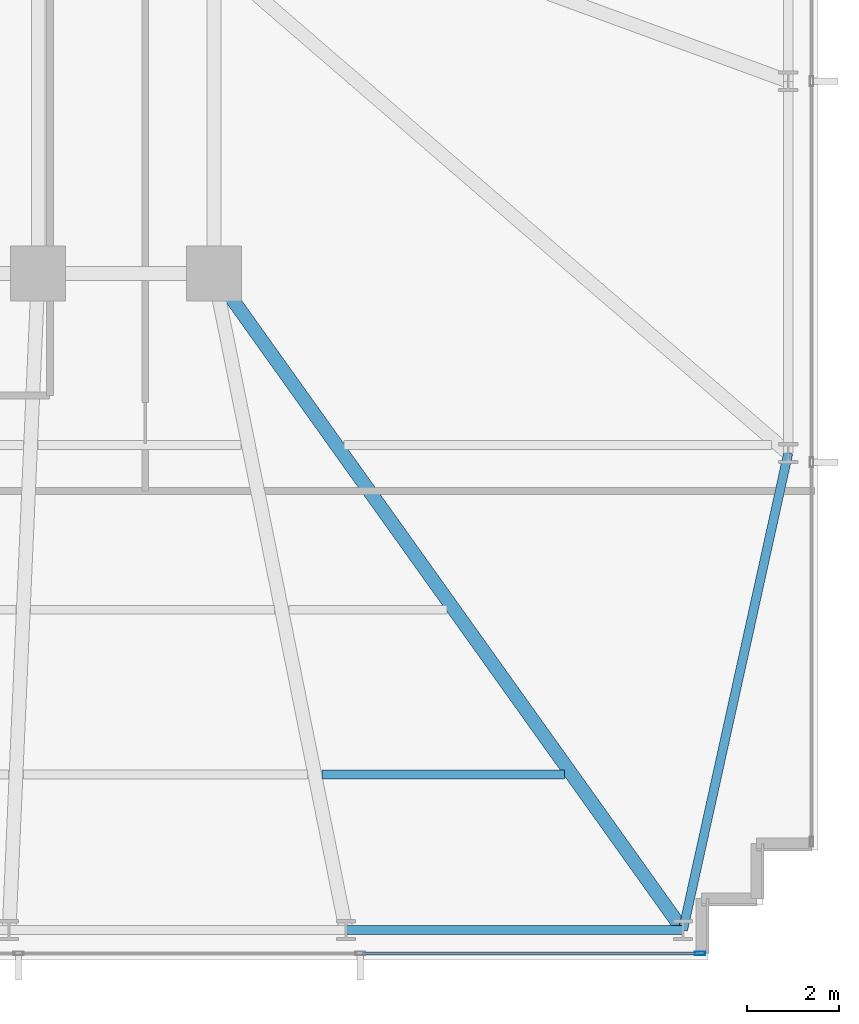
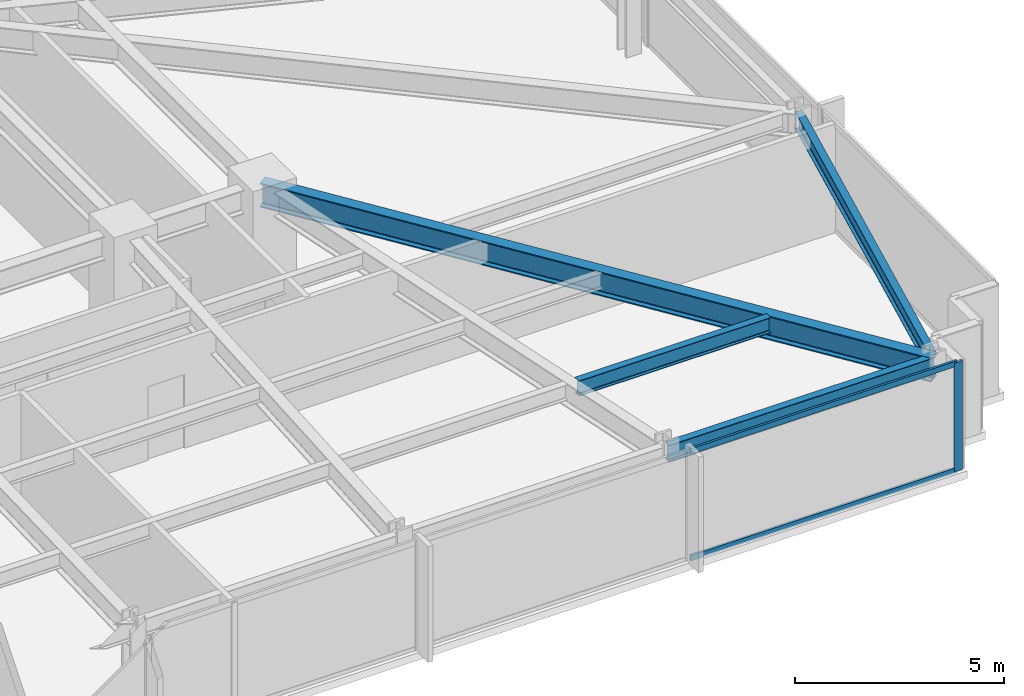
# One storey, part 15 of 33: 4 beams, 3 members, 1 element without a shape of its own.
"""IFC4 building model written with IfcOpenShell, lengths in metres."""

import ifcopenshell
import ifcopenshell.guid

model = None  # the IFC model being written
_history = None  # IfcOwnerHistory: only IFC2X3 demands one
_inside = {}  # id of a spatial element -> (the spatial element, [elements in it])
_under = {}  # id of a project, library or spatial element -> (it, [spatial elements below it])
_declared = {}  # id of a project -> (the project, [libraries it declares])
_typed = {}  # id of a type object -> (the type object, [elements of that type])
_made_of = {}  # id of a material, layer set ... -> (it, [elements and type objects made of it])


def new_model(schema):
    """Start an empty IFC model of exactly this schema.

    Asked for "IFC4X3", IfcOpenShell would pick the latest addendum, in which some entities
    have other attributes; the version numbers below select the first issue.
    IFC2X3 requires an IfcOwnerHistory on every rooted entity: one is made here for all.
    """
    global model, _history
    if schema == "IFC4X3":
        model = ifcopenshell.file(schema_version=(4, 3, 0, 0))
    else:
        model = ifcopenshell.file(schema=schema)
    _inside.clear()
    _under.clear()
    _declared.clear()
    _typed.clear()
    _made_of.clear()
    _history = None
    if model.schema == "IFC2X3":
        org = make("IfcOrganization", Name="unknown")
        user = make(
            "IfcPersonAndOrganization",
            ThePerson=make("IfcPerson", FamilyName="unknown"),
            TheOrganization=org,
        )
        app = make(
            "IfcApplication",
            ApplicationDeveloper=org,
            Version="unknown",
            ApplicationFullName="unknown",
            ApplicationIdentifier="unknown",
        )
        _history = make(
            "IfcOwnerHistory",
            OwningUser=user,
            OwningApplication=app,
            ChangeAction="ADDED",
            CreationDate=0,
        )
    return model


def make(cls, **values):
    """One entity of the class cls with the attributes given. An attribute that is None is left unset."""
    return model.create_entity(
        cls, **{name: value for name, value in values.items() if value is not None}
    )


def rooted(cls, **values):
    """An entity with a GlobalId (a new one), such as an element, a storey or a relation."""
    return make(cls, GlobalId=ifcopenshell.guid.new(), OwnerHistory=_history, **values)


def si_unit(unit_type, name, prefix=None):
    """IfcSIUnit, for example si_unit("LENGTHUNIT", "METRE", prefix="MILLI")."""
    return make("IfcSIUnit", UnitType=unit_type, Prefix=prefix, Name=name)


def assignment(units):
    """IfcUnitAssignment: the units of a project."""
    return None if units is None else make("IfcUnitAssignment", Units=units)


def point(xyz):
    """IfcCartesianPoint."""
    return None if xyz is None else make("IfcCartesianPoint", Coordinates=xyz)


def direction(xyz):
    """IfcDirection."""
    return None if xyz is None else make("IfcDirection", DirectionRatios=xyz)


def frame(location, z_axis=None, x_axis=None):
    """IfcAxis2Placement3D, a coordinate frame: its origin and axes. An axis left out is left unset."""
    return make(
        "IfcAxis2Placement3D",
        Location=point(location),
        Axis=direction(z_axis),
        RefDirection=direction(x_axis),
    )


def frame_2d(location, x_axis=None):
    """IfcAxis2Placement2D, a coordinate frame in the plane: its origin and x axis."""
    return make(
        "IfcAxis2Placement2D", Location=point(location), RefDirection=direction(x_axis)
    )


def origin():
    """The frame at (0, 0, 0) with its axes left unset."""
    return frame((0.0, 0.0, 0.0))


def origin_2d():
    """The frame at (0, 0) in the plane with its x axis left unset."""
    return frame_2d((0.0, 0.0))


def place(relative_to, where):
    """IfcLocalPlacement: puts the frame where relative to a parent placement (None: the world)."""
    return make(
        "IfcLocalPlacement", PlacementRelTo=relative_to, RelativePlacement=where
    )


def context(
    kind, dimensions, precision=None, world=None, true_north=None, identifier=None
):
    """IfcGeometricRepresentationContext, for example the 3D "Model" context."""
    return make(
        "IfcGeometricRepresentationContext",
        ContextIdentifier=identifier,
        ContextType=kind,
        CoordinateSpaceDimension=dimensions,
        Precision=precision,
        WorldCoordinateSystem=world,
        TrueNorth=true_north,
    )


def subcontext(parent, identifier, kind, view, scale=None):
    """IfcGeometricRepresentationSubContext, for example "Body" below "Model"."""
    return make(
        "IfcGeometricRepresentationSubContext",
        ContextIdentifier=identifier,
        ContextType=kind,
        ParentContext=parent,
        TargetScale=scale,
        TargetView=view,
    )


def project(units=None, contexts=None):
    """IfcProject with its units and contexts."""
    return rooted(
        "IfcProject",
        Name="project",
        RepresentationContexts=contexts,
        UnitsInContext=assignment(units),
    )


def spatial(cls, under=None, at=None, **own):
    """A site, building, storey or space (cls), placed at a placement, below another one or the project."""
    s = rooted(cls, ObjectPlacement=at, **own)
    if under is not None:
        _under.setdefault(under.id(), (under, []))[1].append(s)
    return s


def profile(cls, at=None, kind="AREA", **sizes):
    """A parametric profile (cls). Its sizes go by their IFC names, for example OverallWidth=200.0."""
    return make(cls, ProfileType=kind, Position=at, **sizes)


def hollow_rectangle(**sizes):
    """IfcRectangleHollowProfileDef."""
    return profile("IfcRectangleHollowProfileDef", **sizes)


def i_section(**sizes):
    """IfcIShapeProfileDef."""
    return profile("IfcIShapeProfileDef", **sizes)


def extrude(swept, where, along, depth):
    """IfcExtrudedAreaSolid: the profile swept, set in the frame where, extruded along a direction by depth."""
    return make(
        "IfcExtrudedAreaSolid",
        SweptArea=swept,
        Position=where,
        ExtrudedDirection=direction(along),
        Depth=depth,
    )


def shape(context_of_items, identifier, shape_type, items):
    """IfcShapeRepresentation: the items that make up one representation, for example the "Body"."""
    return make(
        "IfcShapeRepresentation",
        ContextOfItems=context_of_items,
        RepresentationIdentifier=identifier,
        RepresentationType=shape_type,
        Items=items,
    )


def material(Name=None, Category=None):
    """IfcMaterial."""
    return make("IfcMaterial", Name=Name, Category=Category)


def material_profile(
    of_material, cross_section, Name=None, Category=None, Priority=None
):
    """IfcMaterialProfile: a cross section and its material."""
    return make(
        "IfcMaterialProfile",
        Name=Name,
        Material=of_material,
        Profile=cross_section,
        Priority=Priority,
        Category=Category,
    )


def profile_set(profiles, Name=None, composite=None):
    """IfcMaterialProfileSet."""
    return make(
        "IfcMaterialProfileSet",
        Name=Name,
        MaterialProfiles=profiles,
        CompositeProfile=composite,
    )


def made_of(thing, what):
    """Note that an element or type object is made of a material, layer set ...; save() writes the relation."""
    if what is not None:
        _made_of.setdefault(what.id(), (what, []))[1].append(thing)
    return thing


def type_object(cls, material=None, **own):
    """A type object (cls), such as IfcWallType, which elements share."""
    return made_of(rooted(cls, **own), material)


def element(
    cls,
    number,
    at=None,
    inside=None,
    cuts=None,
    type_object=None,
    material=None,
    context=None,
    identifier="Body",
    shape_type=None,
    held_by="IfcProductDefinitionShape",
    body=None,
    shapes=None,
    **own,
):
    """One element of the class cls, such as IfcWall. Its Tag is "e" and its number.

    at: its placement. inside: the storey or other place that contains it. cuts: it is an
    opening in that element (IfcRelVoidsElement). A single representation is given by context,
    identifier, shape_type and body (its items); several are given by shapes. held_by: the class
    of the entity that holds the representations. save() writes the other relations.
    """
    e = rooted(cls, Tag="e%d" % number, ObjectPlacement=at, **own)
    if body is not None:
        shapes = [shape(context, identifier, shape_type, body)]
    if shapes is not None:
        e.Representation = make(held_by, Representations=shapes)
    if inside is not None:
        _inside.setdefault(inside.id(), (inside, []))[1].append(e)
    if cuts is not None:
        rooted(
            "IfcRelVoidsElement", RelatingBuildingElement=cuts, RelatedOpeningElement=e
        )
    if type_object is not None:
        _typed.setdefault(type_object.id(), (type_object, []))[1].append(e)
    return made_of(e, material)


def aggregate(whole, parts):
    """IfcRelAggregates: a whole, such as a stair, and the parts it consists of."""
    return rooted("IfcRelAggregates", RelatingObject=whole, RelatedObjects=parts)


def save(model, path):
    """Write the relations noted so far, then the file.

    IfcRelAggregates (storeys below a building ...), IfcRelContainedInSpatialStructure (elements
    in a storey), IfcRelDefinesByType, IfcRelAssociatesMaterial and IfcRelDeclares: one each for
    every whole, place, type object, material and project.
    """
    for whole, parts in _under.values():
        aggregate(whole, parts)
    for where, things in _inside.values():
        rooted(
            "IfcRelContainedInSpatialStructure",
            RelatedElements=things,
            RelatingStructure=where,
        )
    for kind, things in _typed.values():
        rooted("IfcRelDefinesByType", RelatedObjects=things, RelatingType=kind)
    for what, things in _made_of.values():
        rooted("IfcRelAssociatesMaterial", RelatedObjects=things, RelatingMaterial=what)
    for by, libraries in _declared.values():
        rooted("IfcRelDeclares", RelatingContext=by, RelatedDefinitions=libraries)
    model.write(path)


model = new_model("IFC4")

# Units and contexts
model_context = context("Model", 3, precision=1e-05, world=origin(), true_north=direction((0.0, 1.0)))
body_context = subcontext(model_context, "Body", "Model", "MODEL_VIEW")
ifc_project = project(units=[si_unit("LENGTHUNIT", "METRE"), si_unit("AREAUNIT", "SQUARE_METRE"), si_unit("VOLUMEUNIT", "CUBIC_METRE"), si_unit("PLANEANGLEUNIT", "RADIAN"), si_unit("MASSUNIT", "GRAM", prefix="KILO")], contexts=[model_context])

# Site, building, storey
site_placement = place(None, origin())
site = spatial("IfcSite", under=ifc_project, at=site_placement, CompositionType="ELEMENT")
building_placement = place(site_placement, origin())
building = spatial("IfcBuilding", under=site, at=building_placement, Name="Yelkora Congress Tower", CompositionType="ELEMENT")
storey_placement = place(building_placement, frame((0.0, 0.0, 71.199951171875)))
storey = spatial("IfcBuildingStorey", under=building, at=storey_placement, Name="L18", CompositionType="ELEMENT", Elevation=71.199951171875)

# Beams
ifc_material_1 = material(Name="Steel S355J2", Category="steel")
ifc_material_profile_1 = material_profile(ifc_material_1, i_section(OverallWidth=0.300048828125, OverallDepth=0.699951171875, WebThickness=0.01708984375, FlangeThickness=0.031982421875, FilletRadius=0.027099609375, at=origin_2d()), Name="HEB 700")
ifc_profile_set_1 = profile_set([ifc_material_profile_1], Name="Steel S355J2")
beam_type_1 = type_object("IfcBeamType", Name="BM-GIRD-HEB700", PredefinedType="BEAM", material=ifc_profile_set_1)
beam_1_placement = place(storey_placement, frame((67.85009765625, 10.85009765625, 2.830078125), z_axis=(-0.581242122521, 0.813730664906, 0.0), x_axis=(-0.813730664906, -0.581242122521, 0.0)))
element("IfcBeam", 1, at=beam_1_placement, inside=storey, type_object=beam_type_1, Name="L18 Primary Frame Girder S09", PredefinedType="BEAM", context=body_context, shape_type="SweptSolid", body=[
    extrude(i_section(OverallWidth=0.300048828125, OverallDepth=0.699951171875, WebThickness=0.01708984375, FlangeThickness=0.031982421875, FilletRadius=0.027099609375, at=origin_2d()), origin(), (0.0, 0.0, 1.0), 17.634765625),
])
ifc_material_profile_2 = material_profile(ifc_material_1, i_section(OverallWidth=0.18994140625, OverallDepth=0.449951171875, WebThickness=0.009521484375, FlangeThickness=0.0146484375, FilletRadius=0.02099609375, at=origin_2d()), Name="IPE 450")
ifc_profile_set_2 = profile_set([ifc_material_profile_2], Name="Steel S355J2")
beam_type_2 = type_object("IfcBeamType", Name="BM-JOIST-IPE450", PredefinedType="JOIST", material=ifc_profile_set_2)
beam_2_placement = place(storey_placement, frame((59.96337890625, 14.25, 2.955078125), z_axis=(1.0, 0.0, 0.0), x_axis=(0.0, 1.0, 0.0)))
element("IfcBeam", 2, at=beam_2_placement, inside=storey, type_object=beam_type_2, Name="L18 Composite Floor Joist 8", PredefinedType="JOIST", context=body_context, shape_type="SweptSolid", body=[
    extrude(i_section(OverallWidth=0.18994140625, OverallDepth=0.449951171875, WebThickness=0.009521484375, FlangeThickness=0.0146484375, FilletRadius=0.02099609375, at=origin_2d()), origin(), (0.0, 0.0, 1.0), 5.298095703125),
])
ifc_material_profile_3 = material_profile(ifc_material_1, i_section(OverallWidth=0.199951171875, OverallDepth=0.5, WebThickness=0.01025390625, FlangeThickness=0.01611328125, FilletRadius=0.02099609375, at=origin_2d()), Name="IPE 500")
ifc_profile_set_3 = profile_set([ifc_material_profile_3], Name="Steel S355J2")
beam_type_3 = type_object("IfcBeamType", Name="BM-SPAN-IPE500", PredefinedType="SPANDREL", material=ifc_profile_set_3)
beam_3_placement = place(storey_placement, frame((60.487548828125, 10.85009765625, 2.929931640625), z_axis=(1.0, 0.0, 0.0), x_axis=(0.0, 1.0, 0.0)))
element("IfcBeam", 3, at=beam_3_placement, inside=storey, type_object=beam_type_3, Name="L18 Perimeter Beam 9", PredefinedType="SPANDREL", context=body_context, shape_type="SweptSolid", body=[
    extrude(i_section(OverallWidth=0.199951171875, OverallDepth=0.5, WebThickness=0.01025390625, FlangeThickness=0.01611328125, FilletRadius=0.02099609375, at=origin_2d()), origin(), (0.0, 0.0, 1.0), 7.362548828125),
])
beam_4_placement = place(storey_placement, frame((67.85009765625, 10.85009765625, 2.929931640625), z_axis=(0.215428898349, 0.97651952861, 0.0), x_axis=(-0.97651952861, 0.215428898349, 0.0)))
element("IfcBeam", 4, at=beam_4_placement, inside=storey, type_object=beam_type_3, Name="L18 Perimeter Beam 10", PredefinedType="SPANDREL", context=body_context, shape_type="SweptSolid", body=[
    extrude(i_section(OverallWidth=0.199951171875, OverallDepth=0.5, WebThickness=0.01025390625, FlangeThickness=0.01611328125, FilletRadius=0.02099609375, at=origin_2d()), origin(), (0.0, 0.0, 1.0), 10.675537109375),
])

# Curtain wall, members
ifc_material_2 = material(Name="Anodised aluminium and insulated glass", Category="aluminium")
curtain_wall_type = type_object("IfcCurtainWallType", Name="CW-SYS-B1", PredefinedType="NOTDEFINED", material=ifc_material_2)
curtain_wall_placement = place(storey_placement, origin())
curtain_wall = element("IfcCurtainWall", 5, at=curtain_wall_placement, inside=storey, type_object=curtain_wall_type, Name="L18 Unitised Curtain Wall 20", PredefinedType="NOTDEFINED")
ifc_material_3 = material(Name="Anodised aluminium 6063-T6", Category="aluminium")
ifc_material_profile_4 = material_profile(ifc_material_3, hollow_rectangle(XDim=0.074951171875, YDim=0.219970703125, WallThickness=0.0048828125, at=origin_2d()), Name="ALU 75x220x5")
ifc_profile_set_4 = profile_set([ifc_material_profile_4], Name="Anodised aluminium 6063-T6")
member_type_1 = type_object("IfcMemberType", Name="MEM-ML-B1", PredefinedType="MULLION", material=ifc_profile_set_4)
member_1_placement = place(storey_placement, frame((68.222412109375, 10.340087890625, 0.0), z_axis=(0.0, 0.0, 1.0), x_axis=(0.0, -1.0, 0.0)))
member_1 = element("IfcMember", 6, at=member_1_placement, type_object=member_type_1, Name="CW-B1 mullion 1", PredefinedType="MULLION", context=body_context, shape_type="SweptSolid", body=[
    extrude(hollow_rectangle(XDim=0.074951171875, YDim=0.219970703125, WallThickness=0.0048828125, at=origin_2d()), origin(), (0.0, 0.0, 1.0), 3.179931640625),
])
ifc_material_profile_5 = material_profile(ifc_material_3, hollow_rectangle(XDim=0.06494140625, YDim=0.159912109375, WallThickness=0.00390625, at=origin_2d()), Name="ALU 65x160x4")
ifc_profile_set_5 = profile_set([ifc_material_profile_5], Name="Anodised aluminium 6063-T6")
member_type_2 = type_object("IfcMemberType", Name="MEM-TR-B1", PredefinedType="USERDEFINED", material=ifc_profile_set_5)
member_2_placement = place(storey_placement, frame((68.18505859375, 10.340087890625, 0.032470703125), z_axis=(-1.0, 0.0, 0.0), x_axis=(0.0, -1.0, 0.0)))
member_2 = element("IfcMember", 7, at=member_2_placement, type_object=member_type_2, Name="CW-B1 transom 1.1", ObjectType="TRANSOM", PredefinedType="USERDEFINED", context=body_context, shape_type="SweptSolid", body=[
    extrude(hollow_rectangle(XDim=0.06494140625, YDim=0.159912109375, WallThickness=0.00390625, at=origin_2d()), origin(), (0.0, 0.0, 1.0), 7.3525390625),
])
member_3_placement = place(storey_placement, frame((68.18505859375, 10.340087890625, 3.1474609375), z_axis=(-1.0, 0.0, 0.0), x_axis=(0.0, -1.0, 0.0)))
member_3 = element("IfcMember", 8, at=member_3_placement, type_object=member_type_2, Name="CW-B1 transom 1.2", ObjectType="TRANSOM", PredefinedType="USERDEFINED", context=body_context, shape_type="SweptSolid", body=[
    extrude(hollow_rectangle(XDim=0.06494140625, YDim=0.159912109375, WallThickness=0.00390625, at=origin_2d()), origin(), (0.0, 0.0, 1.0), 7.3525390625),
])
aggregate(curtain_wall, [member_1, member_2, member_3])

save(model, "model.ifc")
